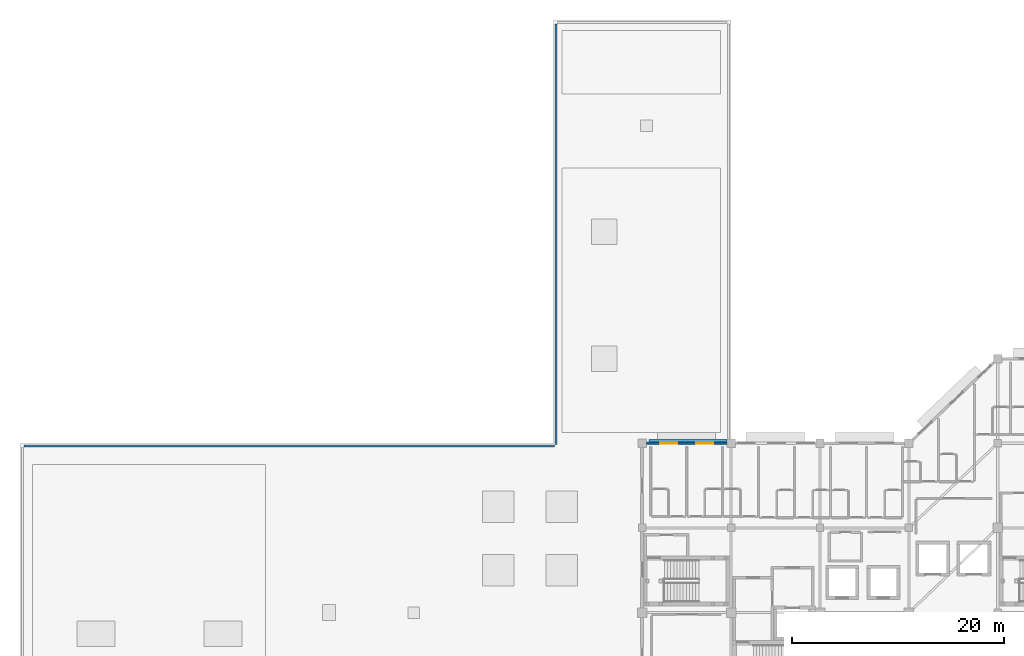
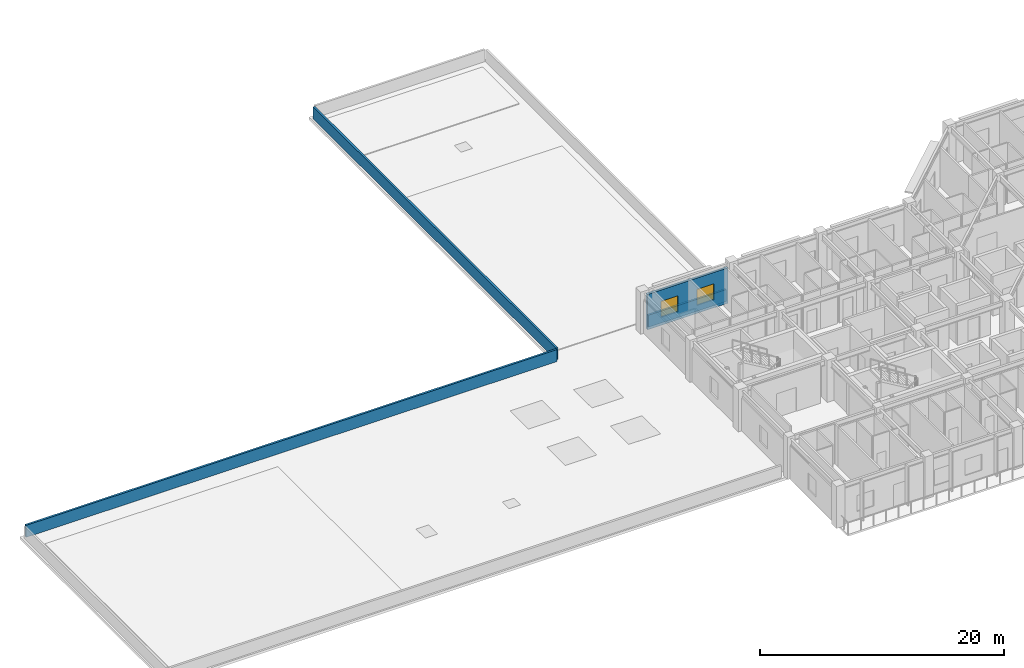
# One storey, part 7 of 22: 4 walls, 2 windows, 2 openings.
"""IFC4 building model written with IfcOpenShell, lengths in metres."""

from ifc_helpers import new_model, si_unit, direction, frame, frame_2d, origin, place, context, subcontext, project, spatial, rectangle, extrude, material, layer, layer_set, type_object, element, fill, save


model = new_model("IFC4")

# Units and contexts
model_context = context("Model", 3, precision=1e-05, world=origin(), true_north=direction((0.0, 1.0)))
body_context = subcontext(model_context, "Body", "Model", "MODEL_VIEW")
ifc_project = project(units=[si_unit("LENGTHUNIT", "METRE"), si_unit("AREAUNIT", "SQUARE_METRE"), si_unit("VOLUMEUNIT", "CUBIC_METRE"), si_unit("PLANEANGLEUNIT", "RADIAN"), si_unit("MASSUNIT", "GRAM", prefix="KILO")], contexts=[model_context])

# Site, building, storey
site_placement = place(None, origin())
site = spatial("IfcSite", under=ifc_project, at=site_placement, CompositionType="ELEMENT")
building_placement = place(site_placement, origin())
building = spatial("IfcBuilding", under=site, at=building_placement, Name="Naruveol Harbour Congress Hotel", CompositionType="ELEMENT")
storey_placement = place(building_placement, frame((0.0, 0.0, 21.0)))
storey = spatial("IfcBuildingStorey", under=building, at=storey_placement, Name="L04", CompositionType="ELEMENT", Elevation=21.0)

# Wall, openings, windows
ifc_material_1 = material(Name="Concrete C40/50", Category="concrete")
ifc_layer_1 = layer(ifc_material_1, 0.239990234375)
ifc_layer_set_1 = layer_set([ifc_layer_1], Name="Concrete C40/50")
wall_type_1 = type_object("IfcWallType", Name="INSULATED HOTEL SPANDREL WALL 240", PredefinedType="SOLIDWALL", material=ifc_layer_set_1)
wall_1_placement = place(storey_placement, frame((118.0, 32.0, 0.0), z_axis=(0.0, 0.0, 1.0), x_axis=(1.0, 0.0, 0.0)))
wall_1 = element("IfcWall", 1, at=wall_1_placement, inside=storey, type_object=wall_type_1, Name="Hotel north bay wall L04 EW-240", PredefinedType="SOLIDWALL", context=body_context, shape_type="SweptSolid", body=[
    extrude(rectangle(XDim=7.60009765625, YDim=0.239990234375, at=frame_2d((3.800048828125, 0.0))), origin(), (0.0, 0.0, 1.0), 3.530029296875),
])
opening_1_placement = place(wall_1_placement, frame((1.300048828125, 0.0, 0.800048828125)))
opening_1 = element("IfcOpeningElement", 2, at=opening_1_placement, cuts=wall_1, Name="Opening W-03", PredefinedType="OPENING", context=body_context, shape_type="SweptSolid", body=[
    extrude(rectangle(XDim=1.60009765625, YDim=1.60009765625, at=frame_2d((0.800048828125, 0.800048828125))), frame((0.0, 0.1298828125, 0.0), z_axis=(0.0, -1.0, 0.0), x_axis=(1.0, 0.0, 0.0)), (0.0, 0.0, 1.0), 0.260009765625),
])
opening_2_placement = place(wall_1_placement, frame((4.699951171875, 0.0, 0.800048828125)))
opening_2 = element("IfcOpeningElement", 3, at=opening_2_placement, cuts=wall_1, Name="Opening W-03", PredefinedType="OPENING", context=body_context, shape_type="SweptSolid", body=[
    extrude(rectangle(XDim=1.60009765625, YDim=1.60009765625, at=frame_2d((0.800048828125, 0.800048828125))), frame((0.0, 0.1298828125, 0.0), z_axis=(0.0, -1.0, 0.0), x_axis=(1.0, 0.0, 0.0)), (0.0, 0.0, 1.0), 0.260009765625),
])
ifc_material_2 = material(Name="Low-E Triple Glazing in Thermal Aluminium", Category="aluminium")
window_type = type_object("IfcWindowType", Name="DELUXE GUEST WINDOW 1600X1600", PartitioningType="SINGLE_PANEL", PredefinedType="WINDOW", material=ifc_material_2)
window_1_placement = place(opening_1_placement, origin())
window_1 = element("IfcWindow", 4, at=window_1_placement, inside=storey, type_object=window_type, Name="Window W-03 #271", OverallHeight=1.60009765625, OverallWidth=1.60009765625, PartitioningType="SINGLE_PANEL", PredefinedType="WINDOW", context=body_context, shape_type="SweptSolid", body=[
    extrude(rectangle(XDim=1.60009765625, YDim=1.60009765625, at=frame_2d((0.800048828125, 0.800048828125))), frame((0.0, 0.030029296875, 0.0), z_axis=(0.0, -1.0, 0.0), x_axis=(1.0, 0.0, 0.0)), (0.0, 0.0, 1.0), 0.06005859375),
])
fill(opening_1, window_1)
window_2_placement = place(opening_2_placement, origin())
window_2 = element("IfcWindow", 5, at=window_2_placement, inside=storey, type_object=window_type, Name="Window W-03 #272", OverallHeight=1.60009765625, OverallWidth=1.60009765625, PartitioningType="SINGLE_PANEL", PredefinedType="WINDOW", context=body_context, shape_type="SweptSolid", body=[
    extrude(rectangle(XDim=1.60009765625, YDim=1.60009765625, at=frame_2d((0.800048828125, 0.800048828125))), frame((0.0, 0.030029296875, 0.0), z_axis=(0.0, -1.0, 0.0), x_axis=(1.0, 0.0, 0.0)), (0.0, 0.0, 1.0), 0.06005859375),
])
fill(opening_2, window_2)

# Walls
ifc_material_3 = material(Name="Concrete C40/50", Category="concrete")
ifc_layer_2 = layer(ifc_material_3, 0.18994140625)
ifc_layer_set_2 = layer_set([ifc_layer_2], Name="Concrete C40/50")
wall_type_2 = type_object("IfcWallType", Name="RC ROOF PARAPET UPSTAND WALL 190", PredefinedType="PARAPET", material=ifc_layer_set_2)
wall_2_placement = place(storey_placement, frame((59.18994140625, 31.75, 0.0), z_axis=(0.0, 0.0, 1.0), x_axis=(1.0, 0.0, 0.0)))
element("IfcWall", 6, at=wall_2_placement, inside=storey, type_object=wall_type_2, Name="Roof parapet upstand PW-190", PredefinedType="PARAPET", context=body_context, shape_type="SweptSolid", body=[
    extrude(rectangle(XDim=50.1201171875, YDim=0.18994140625, at=frame_2d((25.06005859375, 0.0))), origin(), (0.0, 0.0, 1.0), 1.199951171875),
])
wall_3_placement = place(storey_placement, frame((109.449951171875, 31.889892578125, 0.0), z_axis=(0.0, 0.0, 1.0), x_axis=(0.0, 1.0, 0.0)))
element("IfcWall", 7, at=wall_3_placement, inside=storey, type_object=wall_type_2, Name="Roof parapet upstand PW-190", PredefinedType="PARAPET", context=body_context, shape_type="SweptSolid", body=[
    extrude(rectangle(XDim=39.72021484375, YDim=0.18994140625, at=frame_2d((19.860107421875, 0.0))), origin(), (0.0, 0.0, 1.0), 1.199951171875),
])
wall_4_placement = place(storey_placement, frame((125.610107421875, 32.25, 0.0), z_axis=(0.0, 0.0, 1.0), x_axis=(-1.0, 0.0, 0.0)))
element("IfcWall", 8, at=wall_4_placement, inside=storey, type_object=wall_type_2, Name="Roof parapet upstand PW-190", PredefinedType="PARAPET", context=body_context, shape_type="SweptSolid", body=[
    extrude(rectangle(XDim=7.3701171875, YDim=0.18994140625, at=frame_2d((3.68505859375, 0.0))), origin(), (0.0, 0.0, 1.0), 1.199951171875),
])

save(model, "model.ifc")
